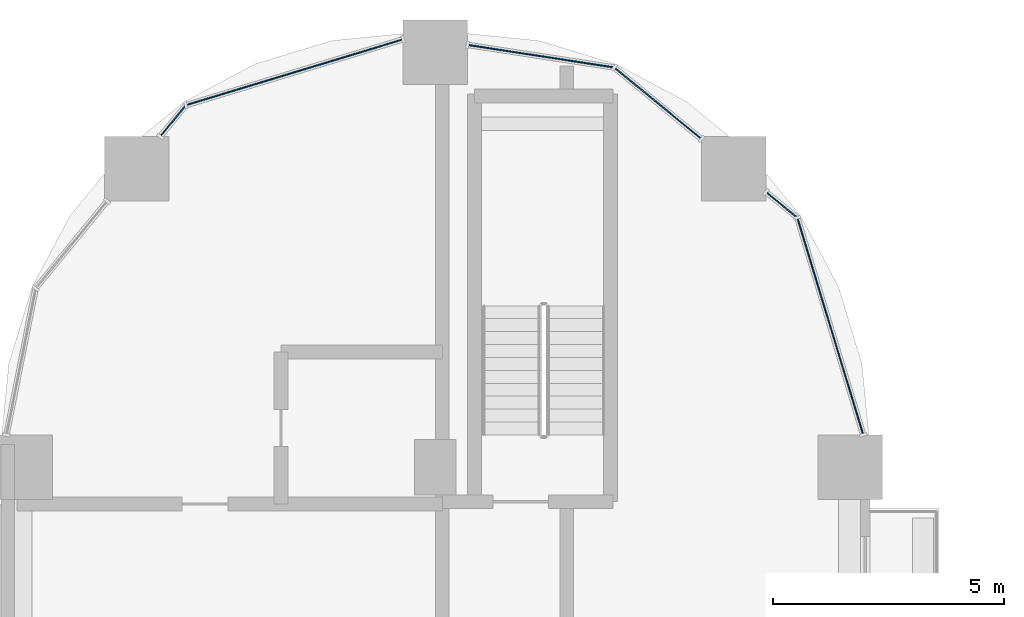
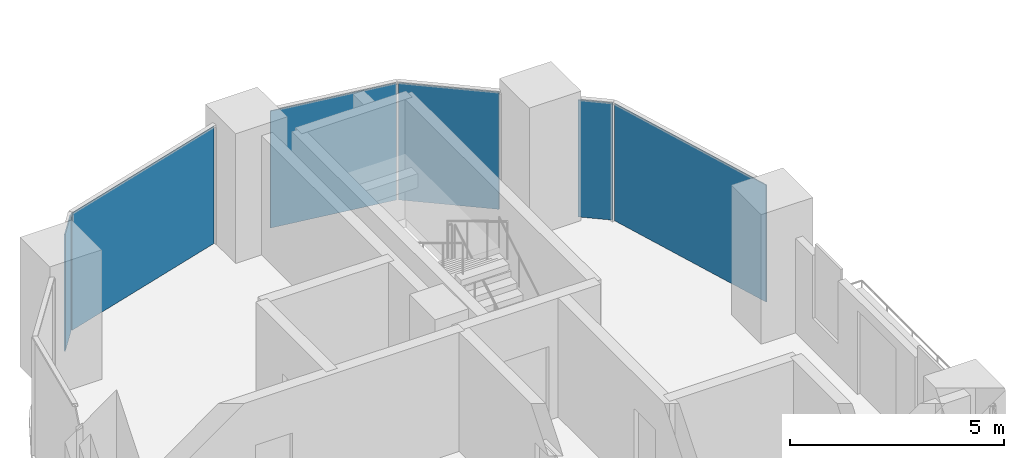
# One storey, part 12 of 30: 6 plates, 3 elements without a shape of their own.
"""IFC4 building model written with IfcOpenShell, lengths in metres."""

from ifc_helpers import new_model, si_unit, direction, frame, origin, origin_2d, place, context, subcontext, project, spatial, rectangle, extrude, material, layer, layer_set, type_object, element, aggregate, save


model = new_model("IFC4")

# Units and contexts
model_context = context("Model", 3, precision=1e-05, world=origin(), true_north=direction((0.0, 1.0)))
body_context = subcontext(model_context, "Body", "Model", "MODEL_VIEW")
ifc_project = project(units=[si_unit("LENGTHUNIT", "METRE"), si_unit("AREAUNIT", "SQUARE_METRE"), si_unit("VOLUMEUNIT", "CUBIC_METRE"), si_unit("PLANEANGLEUNIT", "RADIAN"), si_unit("MASSUNIT", "GRAM", prefix="KILO")], contexts=[model_context])

# Site, building, storey
site_placement = place(None, origin())
site = spatial("IfcSite", under=ifc_project, at=site_placement, CompositionType="ELEMENT")
building_placement = place(site_placement, origin())
building = spatial("IfcBuilding", under=site, at=building_placement, Name="Ogive Portal Towers", CompositionType="ELEMENT")
storey_placement = place(building_placement, frame((0.0, 0.0, 37.199951171875)))
storey = spatial("IfcBuildingStorey", under=building, at=storey_placement, Name="L07", CompositionType="ELEMENT", Elevation=37.199951171875)

# Curtain wall, plates
ifc_material = material(Name="Glass, clear low-iron insulated glazing", Category="glass")
curtain_wall_type = type_object("IfcCurtainWallType", Name="CW FRONT RIBBON 4500", PredefinedType="NOTDEFINED", material=ifc_material)
curtain_wall_1_placement = place(storey_placement, origin())
curtain_wall_1 = element("IfcCurtainWall", 1, at=curtain_wall_1_placement, inside=storey, type_object=curtain_wall_type, Name="A:L07:f07:cwa~0", PredefinedType="NOTDEFINED")
ifc_layer = layer(ifc_material, 0.028076171875)
ifc_layer_set = layer_set([ifc_layer], Name="CW PANEL IGU 28")
plate_type = type_object("IfcPlateType", Name="CW PANEL IGU 28", PredefinedType="CURTAIN_PANEL", material=ifc_layer_set)
plate_1_placement = place(storey_placement, frame((49.066162109375, 69.555908203125, 0.0), z_axis=(0.0, 0.0, 1.0), x_axis=(-0.290284677254, 0.956940335732, 0.0)))
plate_1 = element("IfcPlate", 2, at=plate_1_placement, type_object=plate_type, Name="panel", PredefinedType="CURTAIN_PANEL", context=body_context, shape_type="SweptSolid", body=[
    extrude(rectangle(XDim=4.864013671875, YDim=0.028076171875, at=origin_2d()), origin(), (0.0, 0.0, 1.0), 3.340087890625),
])
plate_2_placement = place(storey_placement, frame((48.01220703125, 72.1904296875, 0.0), z_axis=(0.0, 0.0, 1.0), x_axis=(-0.773010453363, 0.634393284164, 0.0)))
plate_2 = element("IfcPlate", 3, at=plate_2_placement, type_object=plate_type, Name="panel", PredefinedType="CURTAIN_PANEL", context=body_context, shape_type="SweptSolid", body=[
    extrude(rectangle(XDim=0.817626953125, YDim=0.028076171875, at=origin_2d()), origin(), (0.0, 0.0, 1.0), 3.340087890625),
])
aggregate(curtain_wall_1, [plate_1, plate_2])

curtain_wall_2_placement = place(storey_placement, origin())
curtain_wall_2 = element("IfcCurtainWall", 4, at=curtain_wall_2_placement, inside=storey, type_object=curtain_wall_type, Name="A:L07:f07:cwa~1", PredefinedType="NOTDEFINED")
plate_3_placement = place(storey_placement, frame((45.327392578125, 74.393798828125, 0.0), z_axis=(0.0, 0.0, 1.0), x_axis=(-0.773010453363, 0.634393284164, 0.0)))
plate_3 = element("IfcPlate", 5, at=plate_3_placement, type_object=plate_type, Name="panel", PredefinedType="CURTAIN_PANEL", context=body_context, shape_type="SweptSolid", body=[
    extrude(rectangle(XDim=2.38671875, YDim=0.028076171875, at=origin_2d()), origin(), (0.0, 0.0, 1.0), 3.340087890625),
])
plate_4_placement = place(storey_placement, frame((42.790771484375, 75.41455078125, 0.0), z_axis=(0.0, 0.0, 1.0), x_axis=(-0.988369166731, 0.15207363432, 0.0)))
plate_4 = element("IfcPlate", 6, at=plate_4_placement, type_object=plate_type, Name="panel", PredefinedType="CURTAIN_PANEL", context=body_context, shape_type="SweptSolid", body=[
    extrude(rectangle(XDim=3.1591796875, YDim=0.028076171875, at=origin_2d()), origin(), (0.0, 0.0, 1.0), 3.340087890625),
])
aggregate(curtain_wall_2, [plate_3, plate_4])

curtain_wall_3_placement = place(storey_placement, origin())
curtain_wall_3 = element("IfcCurtainWall", 7, at=curtain_wall_3_placement, inside=storey, type_object=curtain_wall_type, Name="A:L07:f07:cwa~2", PredefinedType="NOTDEFINED")
plate_5_placement = place(storey_placement, frame((37.444091796875, 75.066162109375, 0.0), z_axis=(0.0, 0.0, 1.0), x_axis=(-0.956940335732, -0.290284677254, 0.0)))
plate_5 = element("IfcPlate", 8, at=plate_5_placement, type_object=plate_type, Name="panel", PredefinedType="CURTAIN_PANEL", context=body_context, shape_type="SweptSolid", body=[
    extrude(rectangle(XDim=4.864013671875, YDim=0.028076171875, at=origin_2d()), origin(), (0.0, 0.0, 1.0), 3.340087890625),
])
plate_6_placement = place(storey_placement, frame((34.8095703125, 74.01220703125, 0.0), z_axis=(0.0, 0.0, 1.0), x_axis=(-0.634393284164, -0.773010453363, 0.0)))
plate_6 = element("IfcPlate", 9, at=plate_6_placement, type_object=plate_type, Name="panel", PredefinedType="CURTAIN_PANEL", context=body_context, shape_type="SweptSolid", body=[
    extrude(rectangle(XDim=0.817626953125, YDim=0.028076171875, at=origin_2d()), origin(), (0.0, 0.0, 1.0), 3.340087890625),
])
aggregate(curtain_wall_3, [plate_5, plate_6])

save(model, "model.ifc")
